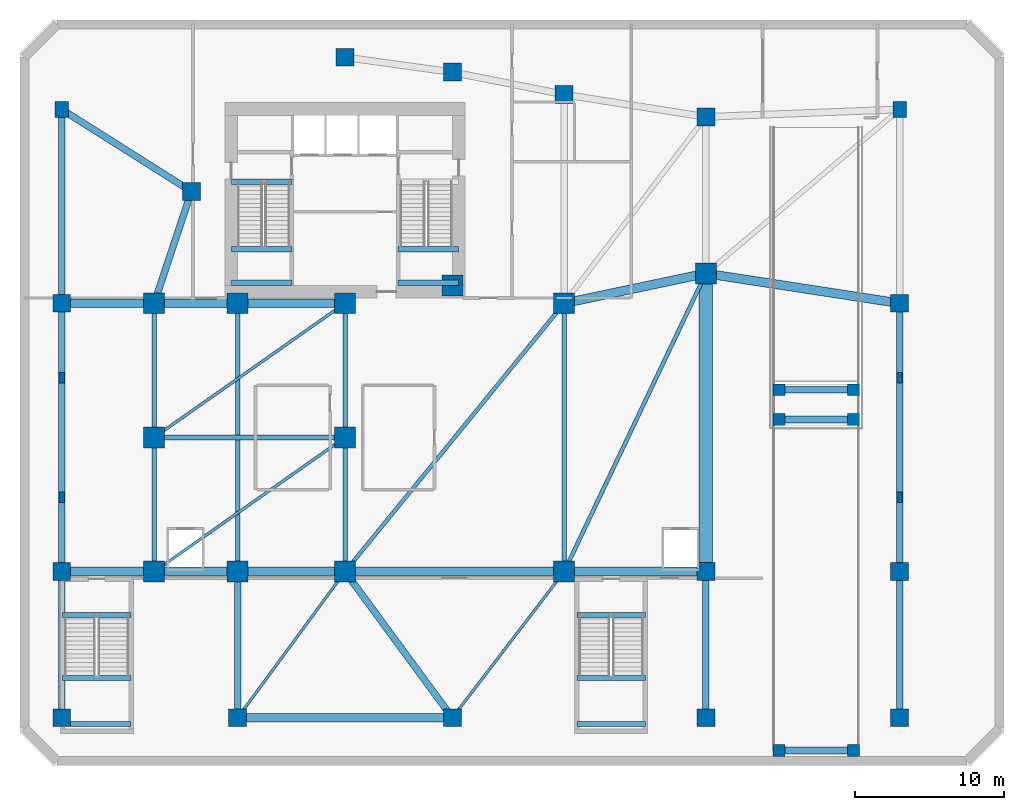
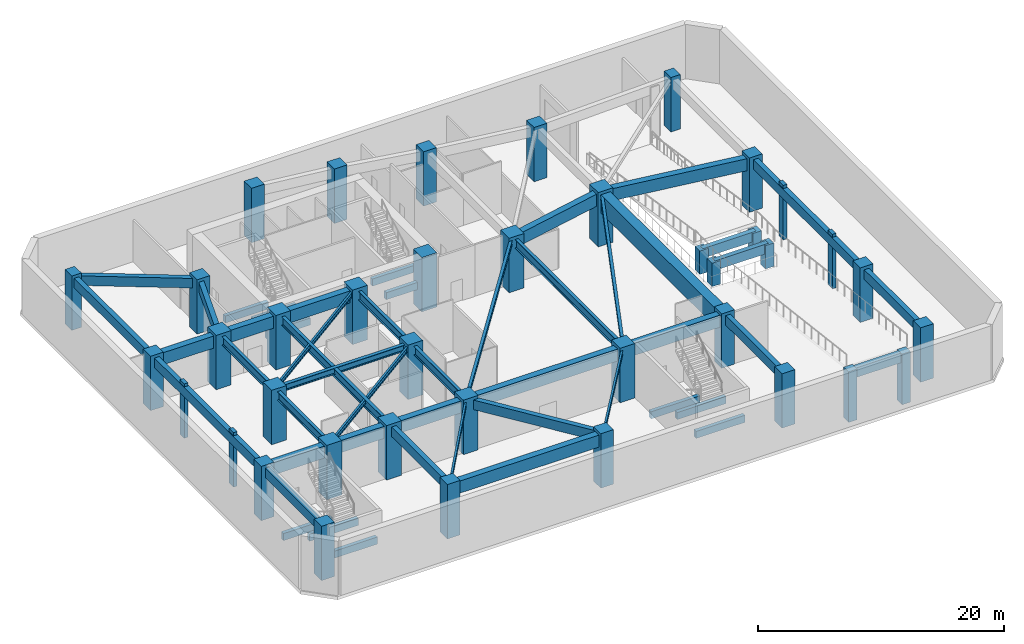
# One storey, part 1 of 9: 49 beams, 39 columns.
"""IFC4 building model written with IfcOpenShell, lengths in metres."""

from ifc_helpers import new_model, si_unit, direction, frame, origin, origin_2d, place, context, subcontext, project, spatial, rectangle, i_section, extrude, source, transform, mapped, material, material_profile, profile_set, type_object, element, save


model = new_model("IFC4")

# Units and contexts
model_context = context("Model", 3, precision=1e-05, world=origin(), true_north=direction((0.0, 1.0)))
body_context = subcontext(model_context, "Body", "Model", "MODEL_VIEW")
ifc_project = project(units=[si_unit("LENGTHUNIT", "METRE"), si_unit("AREAUNIT", "SQUARE_METRE"), si_unit("VOLUMEUNIT", "CUBIC_METRE"), si_unit("PLANEANGLEUNIT", "RADIAN"), si_unit("MASSUNIT", "GRAM", prefix="KILO")], contexts=[model_context])

# Site, building, storey
site_placement = place(None, origin())
site = spatial("IfcSite", under=ifc_project, at=site_placement, CompositionType="ELEMENT")
building_placement = place(site_placement, origin())
building = spatial("IfcBuilding", under=site, at=building_placement, Name="Calvemar Wedge Station Tower", CompositionType="ELEMENT")
storey_placement = place(building_placement, frame((0.0, 0.0, -5.39990234375)))
storey = spatial("IfcBuildingStorey", under=building, at=storey_placement, Name="B01", CompositionType="ELEMENT", Elevation=-5.39990234375)

# Columns
ifc_material_1 = material(Name="Concrete C70", Category="concrete")
ifc_material_profile_1 = material_profile(ifc_material_1, rectangle(XDim=1.199951171875, YDim=1.199951171875, at=origin_2d()), Name="RC1200x1200")
ifc_profile_set_1 = profile_set([ifc_material_profile_1], Name="Concrete C70")
column_type_1 = type_object("IfcColumnType", Name="COL-C2-1200", PredefinedType="COLUMN", material=ifc_profile_set_1)
shared_shape_1 = source(origin(), body_context, "Body", "SweptSolid", [
    extrude(rectangle(XDim=1.199951171875, YDim=1.199951171875, at=origin_2d()), origin(), (0.0, 0.0, 1.0), 5.39990234375),
])
for number, where, z_axis, x_axis, name in (
    (1, (4.800048828125, 5.199951171875, 0.0), (0.0, 0.0, 1.0), (1.0, 0.0, 0.0), "Storey B01 Column P-S1"),
    (2, (16.60009765625, 5.199951171875, 0.0), (0.0, 0.0, 1.0), (1.0, 0.0, 0.0), "Storey B01 Column P-S2"),
    (3, (31.0, 5.199951171875, 0.0), (0.0, 0.0, 1.0), (1.0, 0.0, 0.0), "Storey B01 Column P-S3"),
    (4, (48.0, 5.199951171875, 0.0), (0.0, 0.0, 1.0), (1.0, 0.0, 0.0), "Storey B01 Column P-S4"),
    (5, (61.0, 5.199951171875, 0.0), (0.0, 0.0, 1.0), (1.0, 0.0, 0.0), "Storey B01 Column P-S5"),
    (6, (4.800048828125, 15.0, 0.0), (0.0, 0.0, 1.0), (1.0, 0.0, 0.0), "Storey B01 Column P-CS0"),
    (7, (48.0, 15.0, 0.0), (0.0, 0.0, 1.0), (1.0, 0.0, 0.0), "Storey B01 Column P-CS5"),
    (8, (61.0, 15.0, 0.0), (0.0, 0.0, 1.0), (1.0, 0.0, 0.0), "Storey B01 Column P-CS6"),
    (9, (4.800048828125, 33.0, 0.0), (0.0, 0.0, 1.0), (1.0, 0.0, 0.0), "Storey B01 Column P-CN0"),
    (10, (61.0, 33.0, 0.0), (0.0, 0.0, 1.0), (1.0, 0.0, 0.0), "Storey B01 Column P-CN7"),
    (11, (13.5, 40.5, 0.0), (0.0, 0.0, 1.0), (1.0, 0.0, 0.0), "Storey B01 Column P-N1"),
    (12, (23.800048828125, 49.5, 0.0), (0.0, 0.0, 1.0), (1.0, 0.0, 0.0), "Storey B01 Column P-N2"),
    (13, (31.0, 48.5, 0.0), (0.0, 0.0, 1.0), (1.0, 0.0, 0.0), "Storey B01 Column P-N3"),
    (14, (38.5, 47.0, 0.0), (0.0, 0.0, 1.0), (1.0, 0.0, 0.0), "Storey B01 Column P-N4"),
    (15, (48.0, 45.5, 0.0), (0.0, 0.0, 1.0), (1.0, 0.0, 0.0), "Storey B01 Column P-N5"),
):
    element("IfcColumn", number, at=place(storey_placement, frame(where, z_axis=z_axis, x_axis=x_axis)), inside=storey, type_object=column_type_1, Name=name, PredefinedType="COLUMN", context=body_context, shape_type="MappedRepresentation", body=[
        mapped(shared_shape_1, transform((0.0, 0.0, 0.0), scale=1.0)),
    ])
ifc_material_2 = material(Name="Concrete C80", Category="concrete")
ifc_material_profile_2 = material_profile(ifc_material_2, rectangle(XDim=1.39990234375, YDim=1.39990234375, at=origin_2d()), Name="RC1400x1400")
ifc_profile_set_2 = profile_set([ifc_material_profile_2], Name="Concrete C80")
column_type_2 = type_object("IfcColumnType", Name="COL-C1-1400", PredefinedType="COLUMN", material=ifc_profile_set_2)
shared_shape_2 = source(origin(), body_context, "Body", "SweptSolid", [
    extrude(rectangle(XDim=1.39990234375, YDim=1.39990234375, at=origin_2d()), origin(), (0.0, 0.0, 1.0), 5.39990234375),
])
for number, where, z_axis, x_axis, name in (
    (16, (11.0, 15.0, 0.0), (0.0, 0.0, 1.0), (1.0, 0.0, 0.0), "Storey B01 Column P-CS1"),
    (17, (16.60009765625, 15.0, 0.0), (0.0, 0.0, 1.0), (1.0, 0.0, 0.0), "Storey B01 Column P-CS2"),
    (18, (23.800048828125, 15.0, 0.0), (0.0, 0.0, 1.0), (1.0, 0.0, 0.0), "Storey B01 Column P-CS3"),
    (19, (38.5, 15.0, 0.0), (0.0, 0.0, 1.0), (1.0, 0.0, 0.0), "Storey B01 Column P-CS4"),
    (20, (11.0, 24.0, 0.0), (0.0, 0.0, 1.0), (1.0, 0.0, 0.0), "Storey B01 Column P-CM1"),
    (21, (23.800048828125, 24.0, 0.0), (0.0, 0.0, 1.0), (1.0, 0.0, 0.0), "Storey B01 Column P-CM2"),
    (22, (11.0, 33.0, 0.0), (0.0, 0.0, 1.0), (1.0, 0.0, 0.0), "Storey B01 Column P-CN1"),
    (23, (16.60009765625, 33.0, 0.0), (0.0, 0.0, 1.0), (1.0, 0.0, 0.0), "Storey B01 Column P-CN2"),
    (24, (23.800048828125, 33.0, 0.0), (0.0, 0.0, 1.0), (1.0, 0.0, 0.0), "Storey B01 Column P-CN3"),
    (25, (31.0, 34.199951171875, 0.0), (0.0, 0.0, 1.0), (1.0, 0.0, 0.0), "Storey B01 Column P-CN4"),
    (26, (38.5, 33.0, 0.0), (0.0, 0.0, 1.0), (1.0, 0.0, 0.0), "Storey B01 Column P-CN5"),
    (27, (48.0, 35.0, 0.0), (0.0, 0.0, 1.0), (1.0, 0.0, 0.0), "Storey B01 Column P-CN6"),
):
    element("IfcColumn", number, at=place(storey_placement, frame(where, z_axis=z_axis, x_axis=x_axis)), inside=storey, type_object=column_type_2, Name=name, PredefinedType="COLUMN", context=body_context, shape_type="MappedRepresentation", body=[
        mapped(shared_shape_2, transform((0.0, 0.0, 0.0), scale=1.0)),
    ])
ifc_material_profile_3 = material_profile(ifc_material_1, rectangle(XDim=0.89990234375, YDim=1.10009765625, at=origin_2d()), Name="RC1100x900")
ifc_profile_set_3 = profile_set([ifc_material_profile_3], Name="Concrete C70")
column_type_3 = type_object("IfcColumnType", Name="COL-C3-1100x900", PredefinedType="COLUMN", material=ifc_profile_set_3)
shared_shape_3 = source(origin(), body_context, "Body", "SweptSolid", [
    extrude(rectangle(XDim=0.89990234375, YDim=1.10009765625, at=origin_2d()), origin(), (0.0, 0.0, 1.0), 5.39990234375),
])
for number, where, z_axis, x_axis, name in (
    (28, (4.800048828125, 46.0, 0.0), (0.0, 0.0, 1.0), (1.0, 0.0, 0.0), "Storey B01 Column P-N0"),
    (29, (61.0, 46.0, 0.0), (0.0, 0.0, 1.0), (1.0, 0.0, 0.0), "Storey B01 Column P-N6"),
):
    element("IfcColumn", number, at=place(storey_placement, frame(where, z_axis=z_axis, x_axis=x_axis)), inside=storey, type_object=column_type_3, Name=name, PredefinedType="COLUMN", context=body_context, shape_type="MappedRepresentation", body=[
        mapped(shared_shape_3, transform((0.0, 0.0, 0.0), scale=1.0)),
    ])
ifc_material_3 = material(Name="Concrete C60", Category="concrete")
ifc_material_profile_4 = material_profile(ifc_material_3, rectangle(XDim=0.35009765625, YDim=0.699951171875, at=origin_2d()), Name="RC350x700")
ifc_profile_set_4 = profile_set([ifc_material_profile_4], Name="Concrete C60")
column_type_4 = type_object("IfcColumnType", Name="PIL-P1-700", PredefinedType="PILASTER", material=ifc_profile_set_4)
shared_shape_4 = source(origin(), body_context, "Body", "SweptSolid", [
    extrude(rectangle(XDim=0.35009765625, YDim=0.699951171875, at=origin_2d()), origin(), (0.0, 0.0, 1.0), 5.39990234375),
])
for number, where, z_axis, x_axis, name in (
    (30, (4.800048828125, 20.0, 0.0), (0.0, 0.0, 1.0), (1.0, 0.0, 0.0), "Storey B01 Concourse Pilaster 1"),
    (31, (4.800048828125, 28.0, 0.0), (0.0, 0.0, 1.0), (1.0, 0.0, 0.0), "Storey B01 Concourse Pilaster 2"),
    (32, (61.0, 20.0, 0.0), (0.0, 0.0, 1.0), (1.0, 0.0, 0.0), "Storey B01 Concourse Pilaster 3"),
    (33, (61.0, 28.0, 0.0), (0.0, 0.0, 1.0), (1.0, 0.0, 0.0), "Storey B01 Concourse Pilaster 4"),
):
    element("IfcColumn", number, at=place(storey_placement, frame(where, z_axis=z_axis, x_axis=x_axis)), inside=storey, type_object=column_type_4, Name=name, PredefinedType="PILASTER", context=body_context, shape_type="MappedRepresentation", body=[
        mapped(shared_shape_4, transform((0.0, 0.0, 0.0), scale=1.0)),
    ])
ifc_material_4 = material(Name="Concrete C50", Category="concrete")
ifc_material_profile_5 = material_profile(ifc_material_4, rectangle(XDim=0.800048828125, YDim=0.800048828125, at=origin_2d()), Name="RC800x800")
ifc_profile_set_5 = profile_set([ifc_material_profile_5], Name="Concrete C50")
column_type_5 = type_object("IfcColumnType", Name="COL-C6-800", PredefinedType="COLUMN", material=ifc_profile_set_5)
shared_shape_5 = source(origin(), body_context, "Body", "SweptSolid", [
    extrude(rectangle(XDim=0.800048828125, YDim=0.800048828125, at=origin_2d()), origin(), (0.0, 0.0, 1.0), 5.02001953125),
])
for number, where, z_axis, x_axis, name in (
    (34, (52.89990234375, 3.0, 0.0), (0.0, 0.0, 1.0), (1.0, 0.0, 0.0), "B01 Vehicle Ramp Pier Column 1.3"),
    (35, (57.89990234375, 3.0, 0.0), (0.0, 0.0, 1.0), (1.0, 0.0, 0.0), "B01 Vehicle Ramp Pier Column 2.3"),
):
    element("IfcColumn", number, at=place(storey_placement, frame(where, z_axis=z_axis, x_axis=x_axis)), inside=storey, type_object=column_type_5, Name=name, PredefinedType="COLUMN", context=body_context, shape_type="MappedRepresentation", body=[
        mapped(shared_shape_5, transform((0.0, 0.0, 0.0), scale=1.0)),
    ])
shared_shape_6 = source(origin(), body_context, "Body", "SweptSolid", [
    extrude(rectangle(XDim=0.800048828125, YDim=0.800048828125, at=origin_2d()), origin(), (0.0, 0.0, 1.0), 2.31982421875),
])
for number, where, z_axis, x_axis, name in (
    (36, (52.89990234375, 25.199951171875, 0.0), (0.0, 0.0, 1.0), (1.0, 0.0, 0.0), "B01 Vehicle Ramp Pier Column 1.25"),
    (37, (52.89990234375, 27.199951171875, 0.0), (0.0, 0.0, 1.0), (1.0, 0.0, 0.0), "B01 Vehicle Ramp Pier Column 1.27"),
    (38, (57.89990234375, 25.199951171875, 0.0), (0.0, 0.0, 1.0), (1.0, 0.0, 0.0), "B01 Vehicle Ramp Pier Column 2.25"),
    (39, (57.89990234375, 27.199951171875, 0.0), (0.0, 0.0, 1.0), (1.0, 0.0, 0.0), "B01 Vehicle Ramp Pier Column 2.27"),
):
    element("IfcColumn", number, at=place(storey_placement, frame(where, z_axis=z_axis, x_axis=x_axis)), inside=storey, type_object=column_type_5, Name=name, PredefinedType="COLUMN", context=body_context, shape_type="MappedRepresentation", body=[
        mapped(shared_shape_6, transform((0.0, 0.0, 0.0), scale=1.0)),
    ])

# Beams
ifc_material_profile_6 = material_profile(ifc_material_1, rectangle(XDim=0.35009765625, YDim=0.699951171875, at=origin_2d()), Name="RC350x700")
ifc_profile_set_6 = profile_set([ifc_material_profile_6], Name="Concrete C70")
beam_type_1 = type_object("IfcBeamType", Name="BM-LN1-700", PredefinedType="LINTEL", material=ifc_profile_set_6)
shared_shape_7 = source(origin(), body_context, "Body", "SweptSolid", [
    extrude(rectangle(XDim=0.35009765625, YDim=0.699951171875, at=origin_2d()), origin(), (0.0, 0.0, 1.0), 4.054931640625),
])
for number, where, z_axis, x_axis, name in (
    (40, (16.175048828125, 41.14990234375, -0.35009765625), (1.0, 0.0, 0.0), (0.0, 1.0, 0.0), "Storey B01 Stair ST-C1 Landing Trimmer Beam"),
    (41, (16.175048828125, 34.3798828125, 2.14990234375), (1.0, 0.0, 0.0), (0.0, 1.0, 0.0), "Storey B01 Stair ST-C1 Half-Landing Beam 1A"),
    (42, (16.175048828125, 36.6201171875, 2.14990234375), (1.0, 0.0, 0.0), (0.0, 1.0, 0.0), "Storey B01 Stair ST-C1 Half-Landing Beam 1B"),
    (43, (27.3701171875, 34.3798828125, 2.14990234375), (1.0, 0.0, 0.0), (0.0, 1.0, 0.0), "Storey B01 Stair ST-C2 Half-Landing Beam 1A"),
    (44, (27.3701171875, 36.6201171875, 2.14990234375), (1.0, 0.0, 0.0), (0.0, 1.0, 0.0), "Storey B01 Stair ST-C2 Half-Landing Beam 1B"),
):
    element("IfcBeam", number, at=place(storey_placement, frame(where, z_axis=z_axis, x_axis=x_axis)), inside=storey, type_object=beam_type_1, Name=name, PredefinedType="LINTEL", context=body_context, shape_type="MappedRepresentation", body=[
        mapped(shared_shape_7, transform((0.0, 0.0, 0.0), scale=1.0)),
    ])
shared_shape_8 = source(origin(), body_context, "Body", "SweptSolid", [
    extrude(rectangle(XDim=0.35009765625, YDim=0.699951171875, at=origin_2d()), origin(), (0.0, 0.0, 1.0), 4.599853515625),
])
for number, where, z_axis, x_axis, name in (
    (45, (4.85009765625, 12.10009765625, -0.35009765625), (1.0, 0.0, 0.0), (0.0, 1.0, 0.0), "Storey B01 Stair ST-P1 Landing Trimmer Beam"),
    (46, (39.35009765625, 12.10009765625, -0.35009765625), (1.0, 0.0, 0.0), (0.0, 1.0, 0.0), "Storey B01 Stair ST-P2 Landing Trimmer Beam"),
    (47, (4.85009765625, 4.780029296875, 2.14990234375), (1.0, 0.0, 0.0), (0.0, 1.0, 0.0), "Storey B01 Stair ST-P1 Half-Landing Beam 1A"),
    (48, (4.85009765625, 7.860107421875, 2.14990234375), (1.0, 0.0, 0.0), (0.0, 1.0, 0.0), "Storey B01 Stair ST-P1 Half-Landing Beam 1B"),
    (49, (39.35009765625, 4.780029296875, 2.14990234375), (1.0, 0.0, 0.0), (0.0, 1.0, 0.0), "Storey B01 Stair ST-P2 Half-Landing Beam 1A"),
    (50, (39.35009765625, 7.860107421875, 2.14990234375), (1.0, 0.0, 0.0), (0.0, 1.0, 0.0), "Storey B01 Stair ST-P2 Half-Landing Beam 1B"),
):
    element("IfcBeam", number, at=place(storey_placement, frame(where, z_axis=z_axis, x_axis=x_axis)), inside=storey, type_object=beam_type_1, Name=name, PredefinedType="LINTEL", context=body_context, shape_type="MappedRepresentation", body=[
        mapped(shared_shape_8, transform((0.0, 0.0, 0.0), scale=1.0)),
    ])
ifc_material_profile_7 = material_profile(ifc_material_3, rectangle(XDim=0.60009765625, YDim=1.199951171875, at=origin_2d()), Name="RC600x1200")
ifc_profile_set_7 = profile_set([ifc_material_profile_7], Name="Concrete C60")
beam_type_2 = type_object("IfcBeamType", Name="BM-G1-1200", PredefinedType="BEAM", material=ifc_profile_set_7)
shared_shape_9 = source(origin(), body_context, "Body", "SweptSolid", [
    extrude(rectangle(XDim=0.60009765625, YDim=1.199951171875, at=origin_2d()), origin(), (0.0, 0.0, 1.0), 14.39990234375),
])
beam_1_placement = place(storey_placement, frame((16.60009765625, 5.199951171875, 4.5), z_axis=(1.0, 0.0, 0.0), x_axis=(0.0, 1.0, 0.0)))
element("IfcBeam", 51, at=beam_1_placement, inside=storey, type_object=beam_type_2, Name="Storey B01 Primary Girder G02", PredefinedType="BEAM", context=body_context, shape_type="MappedRepresentation", body=[
    mapped(shared_shape_9, transform((0.0, 0.0, 0.0), scale=1.0)),
])
shared_shape_10 = source(origin(), body_context, "Body", "SweptSolid", [
    extrude(rectangle(XDim=0.60009765625, YDim=1.199951171875, at=origin_2d()), origin(), (0.0, 0.0, 1.0), 6.199951171875),
])
for number, where, z_axis, x_axis, name in (
    (52, (4.800048828125, 15.0, 4.5), (1.0, 0.0, 0.0), (0.0, 1.0, 0.0), "Storey B01 Primary Girder G05"),
    (53, (4.800048828125, 33.0, 4.5), (1.0, 0.0, 0.0), (0.0, 1.0, 0.0), "Storey B01 Primary Girder G11"),
):
    element("IfcBeam", number, at=place(storey_placement, frame(where, z_axis=z_axis, x_axis=x_axis)), inside=storey, type_object=beam_type_2, Name=name, PredefinedType="BEAM", context=body_context, shape_type="MappedRepresentation", body=[
        mapped(shared_shape_10, transform((0.0, 0.0, 0.0), scale=1.0)),
    ])
shared_shape_11 = source(origin(), body_context, "Body", "SweptSolid", [
    extrude(rectangle(XDim=0.60009765625, YDim=1.199951171875, at=origin_2d()), origin(), (0.0, 0.0, 1.0), 5.60009765625),
])
for number, where, z_axis, x_axis, name in (
    (54, (11.0, 15.0, 4.5), (1.0, 0.0, 0.0), (0.0, 1.0, 0.0), "Storey B01 Primary Girder G06"),
    (55, (11.0, 33.0, 4.5), (1.0, 0.0, 0.0), (0.0, 1.0, 0.0), "Storey B01 Primary Girder G12"),
):
    element("IfcBeam", number, at=place(storey_placement, frame(where, z_axis=z_axis, x_axis=x_axis)), inside=storey, type_object=beam_type_2, Name=name, PredefinedType="BEAM", context=body_context, shape_type="MappedRepresentation", body=[
        mapped(shared_shape_11, transform((0.0, 0.0, 0.0), scale=1.0)),
    ])
shared_shape_12 = source(origin(), body_context, "Body", "SweptSolid", [
    extrude(rectangle(XDim=0.60009765625, YDim=1.199951171875, at=origin_2d()), origin(), (0.0, 0.0, 1.0), 7.199951171875),
])
for number, where, z_axis, x_axis, name in (
    (56, (16.60009765625, 15.0, 4.5), (1.0, 0.0, 0.0), (0.0, 1.0, 0.0), "Storey B01 Primary Girder G07"),
    (57, (16.60009765625, 33.0, 4.5), (1.0, 0.0, 0.0), (0.0, 1.0, 0.0), "Storey B01 Primary Girder G13"),
):
    element("IfcBeam", number, at=place(storey_placement, frame(where, z_axis=z_axis, x_axis=x_axis)), inside=storey, type_object=beam_type_2, Name=name, PredefinedType="BEAM", context=body_context, shape_type="MappedRepresentation", body=[
        mapped(shared_shape_12, transform((0.0, 0.0, 0.0), scale=1.0)),
    ])
shared_shape_13 = source(origin(), body_context, "Body", "SweptSolid", [
    extrude(rectangle(XDim=0.60009765625, YDim=1.199951171875, at=origin_2d()), origin(), (0.0, 0.0, 1.0), 14.699951171875),
])
beam_2_placement = place(storey_placement, frame((23.800048828125, 15.0, 4.5), z_axis=(1.0, 0.0, 0.0), x_axis=(0.0, 1.0, 0.0)))
element("IfcBeam", 58, at=beam_2_placement, inside=storey, type_object=beam_type_2, Name="Storey B01 Primary Girder G08", PredefinedType="BEAM", context=body_context, shape_type="MappedRepresentation", body=[
    mapped(shared_shape_13, transform((0.0, 0.0, 0.0), scale=1.0)),
])
shared_shape_14 = source(origin(), body_context, "Body", "SweptSolid", [
    extrude(rectangle(XDim=0.60009765625, YDim=1.199951171875, at=origin_2d()), origin(), (0.0, 0.0, 1.0), 9.5),
])
beam_3_placement = place(storey_placement, frame((38.5, 15.0, 4.5), z_axis=(1.0, 0.0, 0.0), x_axis=(0.0, 1.0, 0.0)))
element("IfcBeam", 59, at=beam_3_placement, inside=storey, type_object=beam_type_2, Name="Storey B01 Primary Girder G09", PredefinedType="BEAM", context=body_context, shape_type="MappedRepresentation", body=[
    mapped(shared_shape_14, transform((0.0, 0.0, 0.0), scale=1.0)),
])
shared_shape_15 = source(origin(), body_context, "Body", "SweptSolid", [
    extrude(rectangle(XDim=0.60009765625, YDim=1.199951171875, at=origin_2d()), origin(), (0.0, 0.0, 1.0), 9.708251953125),
])
beam_4_placement = place(storey_placement, frame((38.5, 33.0, 4.5), z_axis=(0.978549784987, 0.20601048105, 0.0), x_axis=(-0.20601048105, 0.978549784987, 0.0)))
element("IfcBeam", 60, at=beam_4_placement, inside=storey, type_object=beam_type_2, Name="Storey B01 Primary Girder G16", PredefinedType="BEAM", context=body_context, shape_type="MappedRepresentation", body=[
    mapped(shared_shape_15, transform((0.0, 0.0, 0.0), scale=1.0)),
])
shared_shape_16 = source(origin(), body_context, "Body", "SweptSolid", [
    extrude(rectangle(XDim=0.60009765625, YDim=1.199951171875, at=origin_2d()), origin(), (0.0, 0.0, 1.0), 13.15283203125),
])
beam_5_placement = place(storey_placement, frame((48.0, 35.0, 4.5), z_axis=(0.988371697651, -0.152057184254, 0.0), x_axis=(0.152057184254, 0.988371697651, 0.0)))
element("IfcBeam", 61, at=beam_5_placement, inside=storey, type_object=beam_type_2, Name="Storey B01 Primary Girder G17", PredefinedType="BEAM", context=body_context, shape_type="MappedRepresentation", body=[
    mapped(shared_shape_16, transform((0.0, 0.0, 0.0), scale=1.0)),
])
ifc_material_profile_8 = material_profile(ifc_material_4, rectangle(XDim=0.449951171875, YDim=0.949951171875, at=origin_2d()), Name="RC450x950")
ifc_profile_set_8 = profile_set([ifc_material_profile_8], Name="Concrete C50")
beam_type_3 = type_object("IfcBeamType", Name="BM-G2-950", PredefinedType="BEAM", material=ifc_profile_set_8)
shared_shape_17 = source(origin(), body_context, "Body", "SweptSolid", [
    extrude(rectangle(XDim=0.449951171875, YDim=0.949951171875, at=origin_2d()), origin(), (0.0, 0.0, 1.0), 18.0),
])
for number, where, z_axis, x_axis, name in (
    (62, (4.800048828125, 15.0, 4.625), (0.0, 1.0, 0.0), (-1.0, 0.0, 0.0), "Storey B01 Primary Girder G18"),
    (63, (61.0, 15.0, 4.625), (0.0, 1.0, 0.0), (-1.0, 0.0, 0.0), "Storey B01 Primary Girder G26"),
):
    element("IfcBeam", number, at=place(storey_placement, frame(where, z_axis=z_axis, x_axis=x_axis)), inside=storey, type_object=beam_type_3, Name=name, PredefinedType="BEAM", context=body_context, shape_type="MappedRepresentation", body=[
        mapped(shared_shape_17, transform((0.0, 0.0, 0.0), scale=1.0)),
    ])
ifc_material_5 = material(Name="Structural steel ASTM A572 Grade 50", Category="steel")
ifc_material_profile_9 = material_profile(ifc_material_5, i_section(OverallWidth=0.303955078125, OverallDepth=0.862060546875, WebThickness=0.019775390625, FlangeThickness=0.035888671875, FilletRadius=0.02001953125, at=origin_2d()), Name="W840x329")
ifc_profile_set_9 = profile_set([ifc_material_profile_9], Name="Structural steel ASTM A572 Grade 50")
beam_type_4 = type_object("IfcBeamType", Name="BM-TR2-W840", PredefinedType="BEAM", material=ifc_profile_set_9)
shared_shape_18 = source(origin(), body_context, "Body", "SweptSolid", [
    extrude(i_section(OverallWidth=0.303955078125, OverallDepth=0.862060546875, WebThickness=0.019775390625, FlangeThickness=0.035888671875, FilletRadius=0.02001953125, at=origin_2d()), origin(), (0.0, 0.0, 1.0), 9.0),
])
for number, where, z_axis, x_axis, name in (
    (64, (11.0, 15.0, 4.6689453125), (0.0, 1.0, 0.0), (-1.0, 0.0, 0.0), "Storey B01 Primary Girder G19"),
    (65, (11.0, 24.0, 4.6689453125), (0.0, 1.0, 0.0), (-1.0, 0.0, 0.0), "Storey B01 Primary Girder G20"),
    (66, (23.800048828125, 15.0, 4.6689453125), (0.0, 1.0, 0.0), (-1.0, 0.0, 0.0), "Storey B01 Primary Girder G22"),
    (67, (23.800048828125, 24.0, 4.6689453125), (0.0, 1.0, 0.0), (-1.0, 0.0, 0.0), "Storey B01 Primary Girder G23"),
):
    element("IfcBeam", number, at=place(storey_placement, frame(where, z_axis=z_axis, x_axis=x_axis)), inside=storey, type_object=beam_type_4, Name=name, PredefinedType="BEAM", context=body_context, shape_type="MappedRepresentation", body=[
        mapped(shared_shape_18, transform((0.0, 0.0, 0.0), scale=1.0)),
    ])
shared_shape_19 = source(origin(), body_context, "Body", "SweptSolid", [
    extrude(i_section(OverallWidth=0.303955078125, OverallDepth=0.862060546875, WebThickness=0.019775390625, FlangeThickness=0.035888671875, FilletRadius=0.02001953125, at=origin_2d()), origin(), (0.0, 0.0, 1.0), 18.0),
])
for number, where, z_axis, x_axis, name in (
    (68, (16.60009765625, 15.0, 4.6689453125), (0.0, 1.0, 0.0), (-1.0, 0.0, 0.0), "Storey B01 Primary Girder G21"),
    (69, (38.5, 15.0, 4.6689453125), (0.0, 1.0, 0.0), (-1.0, 0.0, 0.0), "Storey B01 Primary Girder G24"),
):
    element("IfcBeam", number, at=place(storey_placement, frame(where, z_axis=z_axis, x_axis=x_axis)), inside=storey, type_object=beam_type_4, Name=name, PredefinedType="BEAM", context=body_context, shape_type="MappedRepresentation", body=[
        mapped(shared_shape_19, transform((0.0, 0.0, 0.0), scale=1.0)),
    ])
ifc_material_profile_10 = material_profile(ifc_material_3, rectangle(XDim=0.89990234375, YDim=1.800048828125, at=origin_2d()), Name="RC900x1800")
ifc_profile_set_10 = profile_set([ifc_material_profile_10], Name="Concrete C60")
beam_type_5 = type_object("IfcBeamType", Name="BM-TG2-1800", PredefinedType="BEAM", material=ifc_profile_set_10)
shared_shape_20 = source(origin(), body_context, "Body", "SweptSolid", [
    extrude(rectangle(XDim=0.89990234375, YDim=1.800048828125, at=origin_2d()), origin(), (0.0, 0.0, 1.0), 20.0),
])
beam_6_placement = place(storey_placement, frame((48.0, 15.0, 4.199951171875), z_axis=(0.0, 1.0, 0.0), x_axis=(-1.0, 0.0, 0.0)))
element("IfcBeam", 70, at=beam_6_placement, inside=storey, type_object=beam_type_5, Name="Storey B01 Primary Girder G25", PredefinedType="BEAM", context=body_context, shape_type="MappedRepresentation", body=[
    mapped(shared_shape_20, transform((0.0, 0.0, 0.0), scale=1.0)),
])
ifc_material_profile_11 = material_profile(ifc_material_5, i_section(OverallWidth=0.3291015625, OverallDepth=0.635009765625, WebThickness=0.017822265625, FlangeThickness=0.031005859375, FilletRadius=0.014892578125, at=origin_2d()), Name="W610x241")
ifc_profile_set_11 = profile_set([ifc_material_profile_11], Name="Structural steel ASTM A572 Grade 50")
beam_type_6 = type_object("IfcBeamType", Name="BM-SB1-W610H", PredefinedType="BEAM", material=ifc_profile_set_11)
shared_shape_21 = source(origin(), body_context, "Body", "SweptSolid", [
    extrude(i_section(OverallWidth=0.3291015625, OverallDepth=0.635009765625, WebThickness=0.017822265625, FlangeThickness=0.031005859375, FilletRadius=0.014892578125, at=origin_2d()), origin(), (0.0, 0.0, 1.0), 12.800048828125),
])
beam_7_placement = place(storey_placement, frame((11.0, 24.0, 4.782470703125), z_axis=(1.0, 0.0, 0.0), x_axis=(0.0, 1.0, 0.0)))
element("IfcBeam", 71, at=beam_7_placement, inside=storey, type_object=beam_type_6, Name="Storey B01 Primary Girder G27", PredefinedType="BEAM", context=body_context, shape_type="MappedRepresentation", body=[
    mapped(shared_shape_21, transform((0.0, 0.0, 0.0), scale=1.0)),
])
shared_shape_22 = source(origin(), body_context, "Body", "SweptSolid", [
    extrude(rectangle(XDim=0.449951171875, YDim=0.949951171875, at=origin_2d()), origin(), (0.0, 0.0, 1.0), 9.800048828125),
])
for number, where, z_axis, x_axis, name in (
    (72, (4.800048828125, 5.199951171875, 4.625), (0.0, 1.0, 0.0), (-1.0, 0.0, 0.0), "Storey B01 Primary Girder G28"),
    (73, (16.60009765625, 5.199951171875, 4.625), (0.0, 1.0, 0.0), (-1.0, 0.0, 0.0), "Storey B01 Primary Girder G29"),
    (74, (48.0, 5.199951171875, 4.625), (0.0, 1.0, 0.0), (-1.0, 0.0, 0.0), "Storey B01 Primary Girder G31"),
    (75, (61.0, 5.199951171875, 4.625), (0.0, 1.0, 0.0), (-1.0, 0.0, 0.0), "Storey B01 Primary Girder G32"),
):
    element("IfcBeam", number, at=place(storey_placement, frame(where, z_axis=z_axis, x_axis=x_axis)), inside=storey, type_object=beam_type_3, Name=name, PredefinedType="BEAM", context=body_context, shape_type="MappedRepresentation", body=[
        mapped(shared_shape_22, transform((0.0, 0.0, 0.0), scale=1.0)),
    ])
shared_shape_23 = source(origin(), body_context, "Body", "SweptSolid", [
    extrude(rectangle(XDim=0.449951171875, YDim=0.949951171875, at=origin_2d()), origin(), (0.0, 0.0, 1.0), 12.16064453125),
])
beam_8_placement = place(storey_placement, frame((31.0, 5.199951171875, 4.625), z_axis=(-0.59207191039, 0.805885136311, 0.0), x_axis=(-0.805885136311, -0.59207191039, 0.0)))
element("IfcBeam", 76, at=beam_8_placement, inside=storey, type_object=beam_type_3, Name="Storey B01 Primary Girder G30", PredefinedType="BEAM", context=body_context, shape_type="MappedRepresentation", body=[
    mapped(shared_shape_23, transform((0.0, 0.0, 0.0), scale=1.0)),
])
shared_shape_24 = source(origin(), body_context, "Body", "SweptSolid", [
    extrude(rectangle(XDim=0.449951171875, YDim=0.949951171875, at=origin_2d()), origin(), (0.0, 0.0, 1.0), 13.0),
])
beam_9_placement = place(storey_placement, frame((4.800048828125, 33.0, 4.625), z_axis=(0.0, 1.0, 0.0), x_axis=(-1.0, 0.0, 0.0)))
element("IfcBeam", 77, at=beam_9_placement, inside=storey, type_object=beam_type_3, Name="Storey B01 Primary Girder G33", PredefinedType="BEAM", context=body_context, shape_type="MappedRepresentation", body=[
    mapped(shared_shape_24, transform((0.0, 0.0, 0.0), scale=1.0)),
])
shared_shape_25 = source(origin(), body_context, "Body", "SweptSolid", [
    extrude(rectangle(XDim=0.449951171875, YDim=0.949951171875, at=origin_2d()), origin(), (0.0, 0.0, 1.0), 7.90576171875),
])
beam_10_placement = place(storey_placement, frame((11.0, 33.0, 4.625), z_axis=(0.316227766017, 0.948683298051, 0.0), x_axis=(-0.948683298051, 0.316227766017, 0.0)))
element("IfcBeam", 78, at=beam_10_placement, inside=storey, type_object=beam_type_3, Name="Storey B01 Primary Girder G34", PredefinedType="BEAM", context=body_context, shape_type="MappedRepresentation", body=[
    mapped(shared_shape_25, transform((0.0, 0.0, 0.0), scale=1.0)),
])
shared_shape_26 = source(origin(), body_context, "Body", "SweptSolid", [
    extrude(rectangle(XDim=0.449951171875, YDim=0.949951171875, at=origin_2d()), origin(), (0.0, 0.0, 1.0), 10.292724609375),
])
beam_11_placement = place(storey_placement, frame((4.800048828125, 46.0, 4.625), z_axis=(0.845256603473, -0.534360621946, 0.0), x_axis=(0.534360621946, 0.845256603473, 0.0)))
element("IfcBeam", 79, at=beam_11_placement, inside=storey, type_object=beam_type_3, Name="Storey B01 Primary Girder G38", PredefinedType="BEAM", context=body_context, shape_type="MappedRepresentation", body=[
    mapped(shared_shape_26, transform((0.0, 0.0, 0.0), scale=1.0)),
])
ifc_material_profile_12 = material_profile(ifc_material_5, i_section(OverallWidth=0.19189453125, OverallDepth=0.462890625, WebThickness=0.010498046875, FlangeThickness=0.017578125, FilletRadius=0.012939453125, at=origin_2d()), Name="W460x89")
ifc_profile_set_12 = profile_set([ifc_material_profile_12], Name="Structural steel ASTM A572 Grade 50")
beam_type_7 = type_object("IfcBeamType", Name="BM-J1-W460", PredefinedType="JOIST", material=ifc_profile_set_12)
shared_shape_27 = source(origin(), body_context, "Body", "SweptSolid", [
    extrude(i_section(OverallWidth=0.19189453125, OverallDepth=0.462890625, WebThickness=0.010498046875, FlangeThickness=0.017578125, FilletRadius=0.012939453125, at=origin_2d()), origin(), (0.0, 0.0, 1.0), 15.6474609375),
])
for number, where, z_axis, x_axis, name in (
    (80, (11.0, 15.0, 4.868408203125), (0.818030190743, 0.575175283747, 0.0), (-0.575175283747, 0.818030190743, 0.0), "Storey B01 Concourse Cross Joist 1"),
    (81, (11.0, 24.0, 4.868408203125), (0.818030190743, 0.575175283747, 0.0), (-0.575175283747, 0.818030190743, 0.0), "Storey B01 Concourse Cross Joist 2"),
):
    element("IfcBeam", number, at=place(storey_placement, frame(where, z_axis=z_axis, x_axis=x_axis)), inside=storey, type_object=beam_type_7, Name=name, PredefinedType="JOIST", context=body_context, shape_type="MappedRepresentation", body=[
        mapped(shared_shape_27, transform((0.0, 0.0, 0.0), scale=1.0)),
    ])
ifc_material_profile_13 = material_profile(ifc_material_5, i_section(OverallWidth=0.260986328125, OverallDepth=0.419921875, WebThickness=0.01171875, FlangeThickness=0.019287109375, FilletRadius=0.012939453125, at=origin_2d()), Name="W410x114")
ifc_profile_set_13 = profile_set([ifc_material_profile_13], Name="Structural steel ASTM A572 Grade 50")
beam_type_8 = type_object("IfcBeamType", Name="BM-J2-W410H", PredefinedType="JOIST", material=ifc_profile_set_13)
shared_shape_28 = source(origin(), body_context, "Body", "SweptSolid", [
    extrude(i_section(OverallWidth=0.260986328125, OverallDepth=0.419921875, WebThickness=0.01171875, FlangeThickness=0.019287109375, FilletRadius=0.012939453125, at=origin_2d()), origin(), (0.0, 0.0, 1.0), 23.23974609375),
])
beam_12_placement = place(storey_placement, frame((23.800048828125, 15.0, 4.889892578125), z_axis=(0.632533310438, 0.774533156931, 0.0), x_axis=(-0.774533156931, 0.632533310438, 0.0)))
element("IfcBeam", 82, at=beam_12_placement, inside=storey, type_object=beam_type_8, Name="Storey B01 Concourse Cross Joist 3", PredefinedType="JOIST", context=body_context, shape_type="MappedRepresentation", body=[
    mapped(shared_shape_28, transform((0.0, 0.0, 0.0), scale=1.0)),
])
shared_shape_29 = source(origin(), body_context, "Body", "SweptSolid", [
    extrude(i_section(OverallWidth=0.260986328125, OverallDepth=0.419921875, WebThickness=0.01171875, FlangeThickness=0.019287109375, FilletRadius=0.012939453125, at=origin_2d()), origin(), (0.0, 0.0, 1.0), 22.1416015625),
])
beam_13_placement = place(storey_placement, frame((38.5, 15.0, 4.889892578125), z_axis=(0.429056814568, 0.903277504354, 0.0), x_axis=(-0.903277504354, 0.429056814568, 0.0)))
element("IfcBeam", 83, at=beam_13_placement, inside=storey, type_object=beam_type_8, Name="Storey B01 Concourse Cross Joist 4", PredefinedType="JOIST", context=body_context, shape_type="MappedRepresentation", body=[
    mapped(shared_shape_29, transform((0.0, 0.0, 0.0), scale=1.0)),
])
ifc_material_profile_14 = material_profile(ifc_material_5, i_section(OverallWidth=0.177978515625, OverallDepth=0.406982421875, WebThickness=0.0078125, FlangeThickness=0.0126953125, FilletRadius=0.010009765625, at=origin_2d()), Name="W410x60")
ifc_profile_set_14 = profile_set([ifc_material_profile_14], Name="Structural steel ASTM A572 Grade 50")
beam_type_9 = type_object("IfcBeamType", Name="BM-J3-W410", PredefinedType="JOIST", material=ifc_profile_set_14)
shared_shape_30 = source(origin(), body_context, "Body", "SweptSolid", [
    extrude(i_section(OverallWidth=0.177978515625, OverallDepth=0.406982421875, WebThickness=0.0078125, FlangeThickness=0.0126953125, FilletRadius=0.010009765625, at=origin_2d()), origin(), (0.0, 0.0, 1.0), 12.16064453125),
])
beam_14_placement = place(storey_placement, frame((16.60009765625, 5.199951171875, 4.896484375), z_axis=(0.59207191039, 0.805885136311, 0.0), x_axis=(-0.805885136311, 0.59207191039, 0.0)))
element("IfcBeam", 84, at=beam_14_placement, inside=storey, type_object=beam_type_9, Name="Storey B01 Concourse Cross Joist 6", PredefinedType="JOIST", context=body_context, shape_type="MappedRepresentation", body=[
    mapped(shared_shape_30, transform((0.0, 0.0, 0.0), scale=1.0)),
])
shared_shape_31 = source(origin(), body_context, "Body", "SweptSolid", [
    extrude(i_section(OverallWidth=0.177978515625, OverallDepth=0.406982421875, WebThickness=0.0078125, FlangeThickness=0.0126953125, FilletRadius=0.010009765625, at=origin_2d()), origin(), (0.0, 0.0, 1.0), 12.340576171875),
])
beam_15_placement = place(storey_placement, frame((31.0, 5.199951171875, 4.896484375), z_axis=(0.60774893356, 0.794129229884, 0.0), x_axis=(-0.794129229884, 0.60774893356, 0.0)))
element("IfcBeam", 85, at=beam_15_placement, inside=storey, type_object=beam_type_9, Name="Storey B01 Concourse Cross Joist 7", PredefinedType="JOIST", context=body_context, shape_type="MappedRepresentation", body=[
    mapped(shared_shape_31, transform((0.0, 0.0, 0.0), scale=1.0)),
])
shared_shape_32 = source(origin(), body_context, "Body", "SweptSolid", [
    extrude(rectangle(XDim=0.449951171875, YDim=0.949951171875, at=origin_2d()), origin(), (0.0, 0.0, 1.0), 5.0),
])
for number, where, z_axis, x_axis, name in (
    (86, (52.89990234375, 27.199951171875, 1.844970703125), (1.0, 0.0, 0.0), (0.0, 1.0, 0.0), "B01 Vehicle Ramp Support Beam BM-B01-RAMPLND-1"),
    (87, (52.89990234375, 25.199951171875, 1.844970703125), (1.0, 0.0, 0.0), (0.0, 1.0, 0.0), "B01 Vehicle Ramp Support Beam BM-B01-RAMPLND-2"),
    (88, (52.89990234375, 3.0, 4.544921875), (1.0, 0.0, 0.0), (0.0, 1.0, 0.0), "B01 Vehicle Ramp Support Beam BM-B01-RAMPTOP"),
):
    element("IfcBeam", number, at=place(storey_placement, frame(where, z_axis=z_axis, x_axis=x_axis)), inside=storey, type_object=beam_type_3, Name=name, PredefinedType="BEAM", context=body_context, shape_type="MappedRepresentation", body=[
        mapped(shared_shape_32, transform((0.0, 0.0, 0.0), scale=1.0)),
    ])

save(model, "model.ifc")
